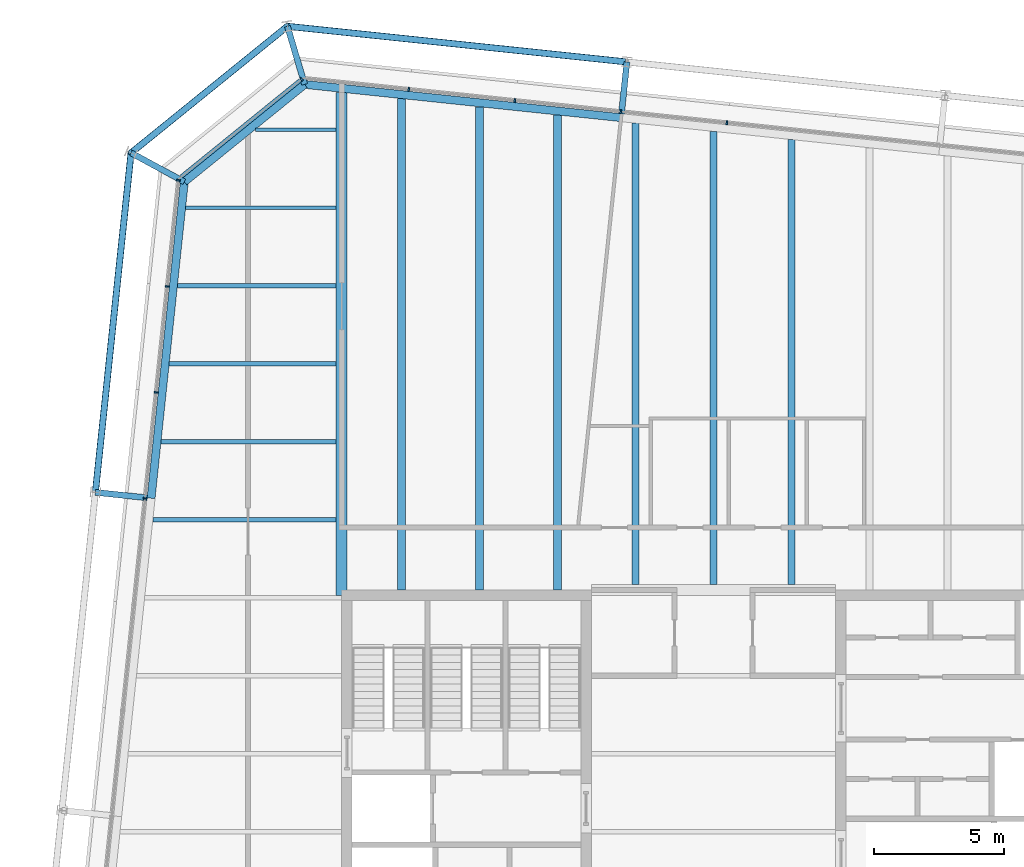
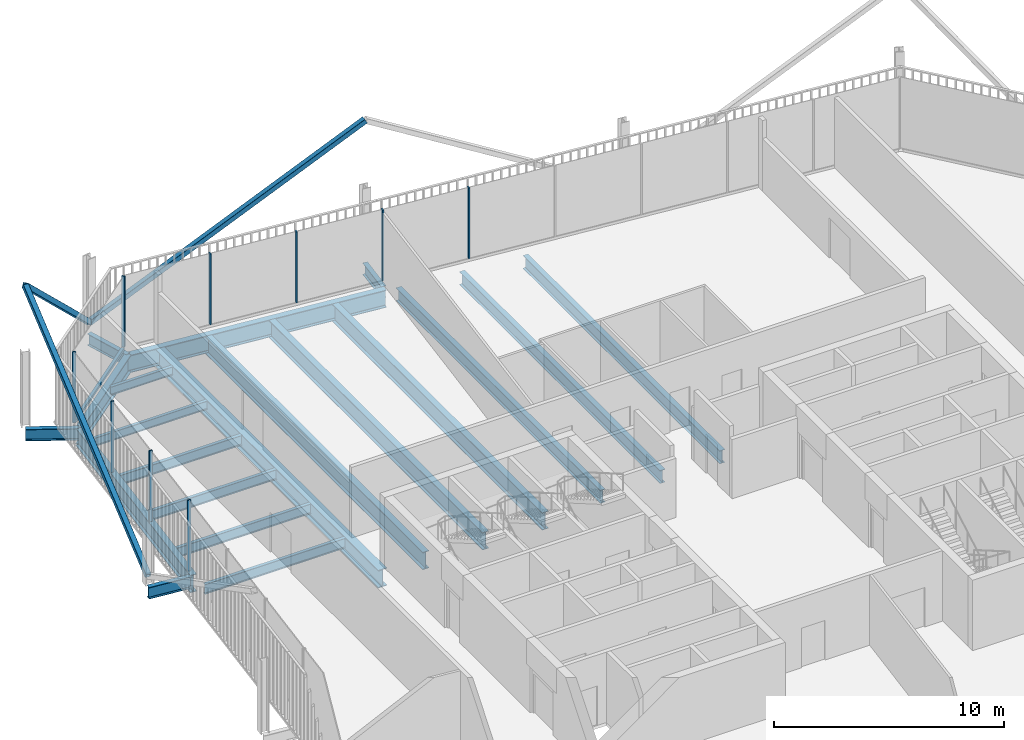
# One storey, part 12 of 21: 20 beams, 13 members, 3 elements without a shape of their own.
"""IFC4 building model written with IfcOpenShell, lengths in metres."""

from ifc_helpers import new_model, si_unit, direction, frame, origin, origin_2d, place, context, subcontext, project, spatial, rectangle, hollow_rectangle, i_section, extrude, material, layer, layer_set, material_profile, profile_set, type_object, element, aggregate, save


model = new_model("IFC4")

# Units and contexts
model_context = context("Model", 3, precision=1e-05, world=origin(), true_north=direction((0.0, 1.0)))
body_context = subcontext(model_context, "Body", "Model", "MODEL_VIEW")
ifc_project = project(units=[si_unit("LENGTHUNIT", "METRE"), si_unit("AREAUNIT", "SQUARE_METRE"), si_unit("VOLUMEUNIT", "CUBIC_METRE"), si_unit("PLANEANGLEUNIT", "RADIAN"), si_unit("MASSUNIT", "GRAM", prefix="KILO")], contexts=[model_context])

# Site, building, storey
site_placement = place(None, origin())
site = spatial("IfcSite", under=ifc_project, at=site_placement, CompositionType="ELEMENT")
building_placement = place(site_placement, origin())
building = spatial("IfcBuilding", under=site, at=building_placement, Name="Millrace Tower", CompositionType="ELEMENT")
storey_placement = place(building_placement, frame((0.0, 0.0, 326.5)))
storey = spatial("IfcBuildingStorey", under=building, at=storey_placement, Name="L75", CompositionType="ELEMENT", Elevation=326.5)

# Curtain wall, members
ifc_material_1 = material(Name="Aluminium and glass", Category="aluminium")
ifc_layer = layer(ifc_material_1, 0.14990234375)
ifc_layer_set = layer_set([ifc_layer], Name="Aluminium and glass")
curtain_wall_type = type_object("IfcCurtainWallType", Name="CW-1 office vision curtain wall", PredefinedType="NOTDEFINED", material=ifc_layer_set)
placement = place(storey_placement, origin())
curtain_wall_1 = element("IfcCurtainWall", 1, at=placement, inside=storey, type_object=curtain_wall_type, Name="Curtain wall E-F06 L75", PredefinedType="NOTDEFINED")
ifc_material_2 = material(Name="Aluminium", Category="aluminium")
ifc_material_profile_1 = material_profile(ifc_material_2, rectangle(XDim=0.06494140625, YDim=0.14990234375, at=origin_2d()))
ifc_profile_set_1 = profile_set([ifc_material_profile_1], Name="Aluminium")
member_type_1 = type_object("IfcMemberType", Name="CW-1 office vision curtain wall mullion", PredefinedType="MULLION", material=ifc_profile_set_1)
member_1_placement = place(storey_placement, frame((0.514892578125, 27.267578125, 0.139892578125), z_axis=(0.0, 0.0, 1.0), x_axis=(-0.994521896217, 0.104528455196, 0.0)))
member_1 = element("IfcMember", 2, at=member_1_placement, type_object=member_type_1, Name="CW1 mullion E-F06.6", PredefinedType="MULLION", context=body_context, shape_type="SweptSolid", body=[
    extrude(rectangle(XDim=0.06494140625, YDim=0.14990234375, at=origin_2d()), origin(), (0.0, 0.0, 1.0), 3.760009765625),
])
member_2_placement = place(storey_placement, frame((-3.562744140625, 27.6962890625, 0.139892578125), z_axis=(0.0, 0.0, 1.0), x_axis=(-0.994521896217, 0.104528455196, 0.0)))
member_2 = element("IfcMember", 3, at=member_2_placement, type_object=member_type_1, Name="CW1 mullion E-F06.7", PredefinedType="MULLION", context=body_context, shape_type="SweptSolid", body=[
    extrude(rectangle(XDim=0.06494140625, YDim=0.14990234375, at=origin_2d()), origin(), (0.0, 0.0, 1.0), 3.760009765625),
])
member_3_placement = place(storey_placement, frame((-7.640380859375, 28.124755859375, 0.139892578125), z_axis=(0.0, 0.0, 1.0), x_axis=(-0.994521896217, 0.104528455196, 0.0)))
member_3 = element("IfcMember", 4, at=member_3_placement, type_object=member_type_1, Name="CW1 mullion E-F06.8", PredefinedType="MULLION", context=body_context, shape_type="SweptSolid", body=[
    extrude(rectangle(XDim=0.06494140625, YDim=0.14990234375, at=origin_2d()), origin(), (0.0, 0.0, 1.0), 3.760009765625),
])
member_4_placement = place(storey_placement, frame((-11.7177734375, 28.55322265625, 0.139892578125), z_axis=(0.0, 0.0, 1.0), x_axis=(-0.994521896217, 0.104528455196, 0.0)))
member_4 = element("IfcMember", 5, at=member_4_placement, type_object=member_type_1, Name="CW1 mullion E-F06.9", PredefinedType="MULLION", context=body_context, shape_type="SweptSolid", body=[
    extrude(rectangle(XDim=0.06494140625, YDim=0.14990234375, at=origin_2d()), origin(), (0.0, 0.0, 1.0), 3.760009765625),
])
aggregate(curtain_wall_1, [member_1, member_2, member_3, member_4])

# Curtain wall, member
curtain_wall_2 = element("IfcCurtainWall", 6, at=placement, inside=storey, type_object=curtain_wall_type, Name="Curtain wall E-F07 L75", PredefinedType="NOTDEFINED")
member_5_placement = place(storey_placement, frame((-15.84326171875, 28.941650390625, 0.139892578125), z_axis=(0.0, 0.0, 1.0), x_axis=(-0.777146052237, -0.629320278945, 0.0)))
member_5 = element("IfcMember", 7, at=member_5_placement, type_object=member_type_1, Name="CW1 mullion E-F07.1", PredefinedType="MULLION", context=body_context, shape_type="SweptSolid", body=[
    extrude(rectangle(XDim=0.06494140625, YDim=0.14990234375, at=origin_2d()), origin(), (0.0, 0.0, 1.0), 3.760009765625),
])

# Curtain wall, members
curtain_wall_3 = element("IfcCurtainWall", 8, at=placement, inside=storey, type_object=curtain_wall_type, Name="Curtain wall E-F08 L75", PredefinedType="NOTDEFINED")
member_6_placement = place(storey_placement, frame((-20.57470703125, 25.052490234375, 0.139892578125), z_axis=(0.0, 0.0, 1.0), x_axis=(-0.104528455196, -0.994521896217, 0.0)))
member_6 = element("IfcMember", 9, at=member_6_placement, type_object=member_type_1, Name="CW1 mullion E-F08.1", PredefinedType="MULLION", context=body_context, shape_type="SweptSolid", body=[
    extrude(rectangle(XDim=0.06494140625, YDim=0.14990234375, at=origin_2d()), origin(), (0.0, 0.0, 1.0), 3.760009765625),
])
member_7_placement = place(storey_placement, frame((-21.00341796875, 20.974853515625, 0.139892578125), z_axis=(0.0, 0.0, 1.0), x_axis=(-0.104528455196, -0.994521896217, 0.0)))
member_7 = element("IfcMember", 10, at=member_7_placement, type_object=member_type_1, Name="CW1 mullion E-F08.2", PredefinedType="MULLION", context=body_context, shape_type="SweptSolid", body=[
    extrude(rectangle(XDim=0.06494140625, YDim=0.14990234375, at=origin_2d()), origin(), (0.0, 0.0, 1.0), 3.760009765625),
])
member_8_placement = place(storey_placement, frame((-21.431884765625, 16.8974609375, 0.139892578125), z_axis=(0.0, 0.0, 1.0), x_axis=(-0.104528455196, -0.994521896217, 0.0)))
member_8 = element("IfcMember", 11, at=member_8_placement, type_object=member_type_1, Name="CW1 mullion E-F08.3", PredefinedType="MULLION", context=body_context, shape_type="SweptSolid", body=[
    extrude(rectangle(XDim=0.06494140625, YDim=0.14990234375, at=origin_2d()), origin(), (0.0, 0.0, 1.0), 3.760009765625),
])
member_9_placement = place(storey_placement, frame((-21.860595703125, 12.81982421875, 0.139892578125), z_axis=(0.0, 0.0, 1.0), x_axis=(-0.104528455196, -0.994521896217, 0.0)))
member_9 = element("IfcMember", 12, at=member_9_placement, type_object=member_type_1, Name="CW1 mullion E-F08.4", PredefinedType="MULLION", context=body_context, shape_type="SweptSolid", body=[
    extrude(rectangle(XDim=0.06494140625, YDim=0.14990234375, at=origin_2d()), origin(), (0.0, 0.0, 1.0), 3.760009765625),
])
aggregate(curtain_wall_3, [member_6, member_7, member_8, member_9])

# Member
ifc_material_3 = material(Name="Aluminium", Category="aluminium")
ifc_material_profile_2 = material_profile(ifc_material_3, rectangle(XDim=0.14990234375, YDim=0.139892578125, at=origin_2d()))
ifc_profile_set_2 = profile_set([ifc_material_profile_2], Name="Aluminium")
member_type_2 = type_object("IfcMemberType", Name="CW-1 office vision curtain wall transom", PredefinedType="USERDEFINED", material=ifc_profile_set_2)
member_10_placement = place(storey_placement, frame((-15.895751953125, 28.899169921875, 0.070068359375), z_axis=(-0.777165591695, -0.629296148951, 0.0), x_axis=(0.629296148951, -0.777165591695, 0.0)))
member_10 = element("IfcMember", 13, at=member_10_placement, type_object=member_type_2, Name="CW1 transom E-F07.1", ObjectType="TRANSOM", PredefinedType="USERDEFINED", context=body_context, shape_type="SweptSolid", body=[
    extrude(rectangle(XDim=0.14990234375, YDim=0.139892578125, at=origin_2d()), origin(), (0.0, 0.0, 1.0), 5.881103515625),
])

aggregate(curtain_wall_2, [member_5, member_10])

# Members
ifc_material_4 = material(Name="Steel ASTM A500 Grade C", Category="steel")
ifc_material_profile_3 = material_profile(ifc_material_4, hollow_rectangle(XDim=0.25390625, YDim=0.25390625, WallThickness=0.009521484375, InnerFilletRadius=0.004638671875, OuterFilletRadius=0.014404296875, at=origin_2d()))
ifc_profile_set_3 = profile_set([ifc_material_profile_3], Name="Steel ASTM A500 Grade C")
member_type_3 = type_object("IfcMemberType", Name="Exoskeleton brace HSS10x10x3/8", PredefinedType="BRACE", material=ifc_profile_set_3)
member_11_placement = place(storey_placement, frame((-16.3857421875, 30.9794921875, 0.39990234375), z_axis=(0.877568210125, -0.092238278747, 0.470495628578), x_axis=(0.104530865473, 0.994521642883, 0.0)))
element("IfcMember", 14, at=member_11_placement, inside=storey, type_object=member_type_3, Name="BRC-E-L75-12", PredefinedType="BRACE", context=body_context, shape_type="SweptSolid", body=[
    extrude(hollow_rectangle(XDim=0.25390625, YDim=0.25390625, WallThickness=0.009521484375, InnerFilletRadius=0.004638671875, OuterFilletRadius=0.014404296875, at=origin_2d()), origin(), (0.0, 0.0, 1.0), 14.8779296875),
])
member_12_placement = place(storey_placement, frame((-16.3857421875, 30.9794921875, 0.39990234375), z_axis=(-0.57631352586, -0.466694392708, 0.670864415308), x_axis=(0.62932438279, -0.777142728993, 0.0)))
element("IfcMember", 15, at=member_12_placement, inside=storey, type_object=member_type_3, Name="BRC-E-L75-13", PredefinedType="BRACE", context=body_context, shape_type="SweptSolid", body=[
    extrude(hollow_rectangle(XDim=0.25390625, YDim=0.25390625, WallThickness=0.009521484375, InnerFilletRadius=0.004638671875, OuterFilletRadius=0.014404296875, at=origin_2d()), origin(), (0.0, 0.0, 1.0), 10.434326171875),
])
member_13_placement = place(storey_placement, frame((-23.771484375, 13.053466796875, 0.39990234375), z_axis=(0.092238278747, 0.877568210125, 0.470495628578), x_axis=(-0.994521642883, 0.104530865473, 0.0)))
element("IfcMember", 16, at=member_13_placement, inside=storey, type_object=member_type_3, Name="BRC-E-L75-14", PredefinedType="BRACE", context=body_context, shape_type="SweptSolid", body=[
    extrude(hollow_rectangle(XDim=0.25390625, YDim=0.25390625, WallThickness=0.009521484375, InnerFilletRadius=0.004638671875, OuterFilletRadius=0.014404296875, at=origin_2d()), origin(), (0.0, 0.0, 1.0), 14.8779296875),
])

# Beams
ifc_material_5 = material(Name="Steel ASTM A992 Grade 50", Category="steel")
ifc_material_profile_4 = material_profile(ifc_material_5, i_section(OverallWidth=0.15234375, OverallDepth=0.449462890625, WebThickness=0.007568359375, FlangeThickness=0.0107421875, FilletRadius=0.01025390625, at=origin_2d()))
ifc_profile_set_4 = profile_set([ifc_material_profile_4], Name="Steel ASTM A992 Grade 50")
beam_type_1 = type_object("IfcBeamType", Name="Floor beam W18x35", PredefinedType="JOIST", material=ifc_profile_set_4)
beam_1_placement = place(storey_placement, frame((-20.301025390625, 24.0, -0.384765625), z_axis=(1.0, 0.0, 0.0), x_axis=(0.0, 1.0, 0.0)))
element("IfcBeam", 17, at=beam_1_placement, inside=storey, type_object=beam_type_1, Name="BM-E-L75-S1-S033", PredefinedType="JOIST", context=body_context, shape_type="SweptSolid", body=[
    extrude(i_section(OverallWidth=0.15234375, OverallDepth=0.449462890625, WebThickness=0.007568359375, FlangeThickness=0.0107421875, FilletRadius=0.01025390625, at=origin_2d()), origin(), (0.0, 0.0, 1.0), 5.79150390625),
])
beam_2_placement = place(storey_placement, frame((-17.609619140625, 27.0, -0.384765625), z_axis=(1.0, 0.0, 0.0), x_axis=(0.0, 1.0, 0.0)))
element("IfcBeam", 18, at=beam_2_placement, inside=storey, type_object=beam_type_1, Name="BM-E-L75-S1-S035", PredefinedType="JOIST", context=body_context, shape_type="SweptSolid", body=[
    extrude(i_section(OverallWidth=0.15234375, OverallDepth=0.449462890625, WebThickness=0.007568359375, FlangeThickness=0.0107421875, FilletRadius=0.01025390625, at=origin_2d()), origin(), (0.0, 0.0, 1.0), 3.10009765625),
])
ifc_material_6 = material(Name="Steel ASTM A992 Grade 50", Category="steel")
ifc_material_profile_5 = material_profile(ifc_material_6, i_section(OverallWidth=0.1650390625, OverallDepth=0.52587890625, WebThickness=0.0087890625, FlangeThickness=0.011474609375, FilletRadius=0.0126953125, at=origin_2d()))
ifc_profile_set_5 = profile_set([ifc_material_profile_5], Name="Steel ASTM A992 Grade 50")
beam_type_2 = type_object("IfcBeamType", Name="Floor beam W21x44", PredefinedType="JOIST", material=ifc_profile_set_5)
beam_3_placement = place(storey_placement, frame((-21.562255859375, 12.0, -0.4228515625), z_axis=(1.0, 0.0, 0.0), x_axis=(0.0, 1.0, 0.0)))
element("IfcBeam", 19, at=beam_3_placement, inside=storey, type_object=beam_type_2, Name="BM-E-L75-S1-S025", PredefinedType="JOIST", context=body_context, shape_type="SweptSolid", body=[
    extrude(i_section(OverallWidth=0.1650390625, OverallDepth=0.52587890625, WebThickness=0.0087890625, FlangeThickness=0.011474609375, FilletRadius=0.0126953125, at=origin_2d()), origin(), (0.0, 0.0, 1.0), 7.052734375),
])
beam_4_placement = place(storey_placement, frame((-21.246826171875, 15.0, -0.4228515625), z_axis=(1.0, 0.0, 0.0), x_axis=(0.0, 1.0, 0.0)))
element("IfcBeam", 20, at=beam_4_placement, inside=storey, type_object=beam_type_2, Name="BM-E-L75-S1-S027", PredefinedType="JOIST", context=body_context, shape_type="SweptSolid", body=[
    extrude(i_section(OverallWidth=0.1650390625, OverallDepth=0.52587890625, WebThickness=0.0087890625, FlangeThickness=0.011474609375, FilletRadius=0.0126953125, at=origin_2d()), origin(), (0.0, 0.0, 1.0), 6.7373046875),
])
beam_5_placement = place(storey_placement, frame((-20.931640625, 18.0, -0.4228515625), z_axis=(1.0, 0.0, 0.0), x_axis=(0.0, 1.0, 0.0)))
element("IfcBeam", 21, at=beam_5_placement, inside=storey, type_object=beam_type_2, Name="BM-E-L75-S1-S029", PredefinedType="JOIST", context=body_context, shape_type="SweptSolid", body=[
    extrude(i_section(OverallWidth=0.1650390625, OverallDepth=0.52587890625, WebThickness=0.0087890625, FlangeThickness=0.011474609375, FilletRadius=0.0126953125, at=origin_2d()), origin(), (0.0, 0.0, 1.0), 6.422119140625),
])
beam_6_placement = place(storey_placement, frame((-20.6162109375, 21.0, -0.4228515625), z_axis=(1.0, 0.0, 0.0), x_axis=(0.0, 1.0, 0.0)))
element("IfcBeam", 22, at=beam_6_placement, inside=storey, type_object=beam_type_2, Name="BM-E-L75-S1-S031", PredefinedType="JOIST", context=body_context, shape_type="SweptSolid", body=[
    extrude(i_section(OverallWidth=0.1650390625, OverallDepth=0.52587890625, WebThickness=0.0087890625, FlangeThickness=0.011474609375, FilletRadius=0.0126953125, at=origin_2d()), origin(), (0.0, 0.0, 1.0), 6.106689453125),
])
ifc_material_7 = material(Name="Steel ASTM A992 Grade 50", Category="steel")
ifc_material_profile_6 = material_profile(ifc_material_7, i_section(OverallWidth=0.256591796875, OverallDepth=0.693359375, WebThickness=0.014404296875, FlangeThickness=0.023681640625, FilletRadius=0.01513671875, at=origin_2d()))
ifc_profile_set_6 = profile_set([ifc_material_profile_6], Name="Steel ASTM A992 Grade 50")
beam_type_3 = type_object("IfcBeamType", Name="Floor beam W27x114", PredefinedType="JOIST", material=ifc_profile_set_6)
beam_7_placement = place(storey_placement, frame((-3.0, 9.509521484375, -0.506591796875), z_axis=(0.0, 1.0, 0.0), x_axis=(-1.0, 0.0, 0.0)))
element("IfcBeam", 23, at=beam_7_placement, inside=storey, type_object=beam_type_3, Name="BM-E-L75-S1-S042", PredefinedType="JOIST", context=body_context, shape_type="SweptSolid", body=[
    extrude(i_section(OverallWidth=0.256591796875, OverallDepth=0.693359375, WebThickness=0.014404296875, FlangeThickness=0.023681640625, FilletRadius=0.01513671875, at=origin_2d()), origin(), (0.0, 0.0, 1.0), 17.7431640625),
])
beam_8_placement = place(storey_placement, frame((0.0, 9.509521484375, -0.506591796875), z_axis=(0.0, 1.0, 0.0), x_axis=(-1.0, 0.0, 0.0)))
element("IfcBeam", 24, at=beam_8_placement, inside=storey, type_object=beam_type_3, Name="BM-E-L75-S1-S044", PredefinedType="JOIST", context=body_context, shape_type="SweptSolid", body=[
    extrude(i_section(OverallWidth=0.256591796875, OverallDepth=0.693359375, WebThickness=0.014404296875, FlangeThickness=0.023681640625, FilletRadius=0.01513671875, at=origin_2d()), origin(), (0.0, 0.0, 1.0), 17.427734375),
])
beam_9_placement = place(storey_placement, frame((3.0, 9.509521484375, -0.506591796875), z_axis=(0.0, 1.0, 0.0), x_axis=(-1.0, 0.0, 0.0)))
element("IfcBeam", 25, at=beam_9_placement, inside=storey, type_object=beam_type_3, Name="BM-E-L75-S1-S046", PredefinedType="JOIST", context=body_context, shape_type="SweptSolid", body=[
    extrude(i_section(OverallWidth=0.256591796875, OverallDepth=0.693359375, WebThickness=0.014404296875, FlangeThickness=0.023681640625, FilletRadius=0.01513671875, at=origin_2d()), origin(), (0.0, 0.0, 1.0), 17.112548828125),
])
ifc_material_8 = material(Name="Steel ASTM A992 Grade 50", Category="steel")
ifc_material_profile_7 = material_profile(ifc_material_8, i_section(OverallWidth=0.307373046875, OverallDepth=0.927001953125, WebThickness=0.01953125, FlangeThickness=0.031982421875, FilletRadius=0.01904296875, at=origin_2d()))
ifc_profile_set_7 = profile_set([ifc_material_profile_7], Name="Steel ASTM A992 Grade 50")
beam_type_4 = type_object("IfcBeamType", Name="Floor beam W36x194", PredefinedType="JOIST", material=ifc_profile_set_7)
beam_10_placement = place(storey_placement, frame((-12.0, 9.300048828125, -0.62353515625), z_axis=(0.0, 1.0, 0.0), x_axis=(-1.0, 0.0, 0.0)))
element("IfcBeam", 26, at=beam_10_placement, inside=storey, type_object=beam_type_4, Name="BM-E-L75-S1-S036", PredefinedType="JOIST", context=body_context, shape_type="SweptSolid", body=[
    extrude(i_section(OverallWidth=0.307373046875, OverallDepth=0.927001953125, WebThickness=0.01953125, FlangeThickness=0.031982421875, FilletRadius=0.01904296875, at=origin_2d()), origin(), (0.0, 0.0, 1.0), 18.8984375),
])
beam_11_placement = place(storey_placement, frame((-9.0, 9.300048828125, -0.62353515625), z_axis=(0.0, 1.0, 0.0), x_axis=(-1.0, 0.0, 0.0)))
element("IfcBeam", 27, at=beam_11_placement, inside=storey, type_object=beam_type_4, Name="BM-E-L75-S1-S038", PredefinedType="JOIST", context=body_context, shape_type="SweptSolid", body=[
    extrude(i_section(OverallWidth=0.307373046875, OverallDepth=0.927001953125, WebThickness=0.01953125, FlangeThickness=0.031982421875, FilletRadius=0.01904296875, at=origin_2d()), origin(), (0.0, 0.0, 1.0), 18.583251953125),
])
beam_12_placement = place(storey_placement, frame((-6.0, 9.300048828125, -0.62353515625), z_axis=(0.0, 1.0, 0.0), x_axis=(-1.0, 0.0, 0.0)))
element("IfcBeam", 28, at=beam_12_placement, inside=storey, type_object=beam_type_4, Name="BM-E-L75-S1-S040", PredefinedType="JOIST", context=body_context, shape_type="SweptSolid", body=[
    extrude(i_section(OverallWidth=0.307373046875, OverallDepth=0.927001953125, WebThickness=0.01953125, FlangeThickness=0.031982421875, FilletRadius=0.01904296875, at=origin_2d()), origin(), (0.0, 0.0, 1.0), 18.267822265625),
])
ifc_material_9 = material(Name="Steel ASTM A992 Grade 50", Category="steel")
ifc_material_profile_8 = material_profile(ifc_material_9, i_section(OverallWidth=0.424072265625, OverallDepth=0.947509765625, WebThickness=0.02392578125, FlangeThickness=0.042724609375, FilletRadius=0.024169921875, at=origin_2d()))
ifc_profile_set_8 = profile_set([ifc_material_profile_8], Name="Steel ASTM A992 Grade 50")
beam_type_5 = type_object("IfcBeamType", Name="Girder medium span W36x302", PredefinedType="BEAM", material=ifc_profile_set_8)
beam_13_placement = place(storey_placement, frame((-14.300048828125, 9.083984375, -0.6337890625), z_axis=(0.0, 1.0, 0.0), x_axis=(-1.0, 0.0, 0.0)))
element("IfcBeam", 29, at=beam_13_placement, inside=storey, type_object=beam_type_5, Name="BM-E-L75-S1-G054", PredefinedType="BEAM", context=body_context, shape_type="SweptSolid", body=[
    extrude(i_section(OverallWidth=0.424072265625, OverallDepth=0.947509765625, WebThickness=0.02392578125, FlangeThickness=0.042724609375, FilletRadius=0.024169921875, at=origin_2d()), origin(), (0.0, 0.0, 1.0), 19.356201171875),
])
ifc_material_10 = material(Name="Steel ASTM A992 Grade 50", Category="steel")
ifc_material_profile_9 = material_profile(ifc_material_10, i_section(OverallWidth=0.23046875, OverallDepth=0.6171875, WebThickness=0.01318359375, FlangeThickness=0.022216796875, FilletRadius=0.012939453125, at=origin_2d()))
ifc_profile_set_9 = profile_set([ifc_material_profile_9], Name="Steel ASTM A992 Grade 50")
beam_type_6 = type_object("IfcBeamType", Name="Link beam W24x94", PredefinedType="BEAM", material=ifc_profile_set_9)
beam_14_placement = place(storey_placement, frame((-21.782470703125, 12.84423828125, -0.468505859375), z_axis=(-0.994512808172, 0.104614886044, 0.0), x_axis=(-0.104614886044, -0.994512808172, 0.0)))
element("IfcBeam", 30, at=beam_14_placement, inside=storey, type_object=beam_type_6, Name="LNK-E-L75-S1-03", PredefinedType="BEAM", context=body_context, shape_type="SweptSolid", body=[
    extrude(i_section(OverallWidth=0.23046875, OverallDepth=0.6171875, WebThickness=0.01318359375, FlangeThickness=0.022216796875, FilletRadius=0.012939453125, at=origin_2d()), origin(), (0.0, 0.0, 1.0), 2.0),
])
for number, where, z_axis, x_axis, name in (
    (31, (-20.3505859375, 24.99755859375, -0.468505859375), (-0.87881453358, 0.477163510307, 0.0), (-0.477163510307, -0.87881453358, 0.0), "LNK-E-L75-S1-04"),
    (32, (-15.7236328125, 28.744384765625, -0.468505859375), (-0.284031275065, 0.958815015936, 0.0), (-0.958815015936, -0.284031275065, 0.0), "LNK-E-L75-S1-05"),
):
    element("IfcBeam", number, at=place(storey_placement, frame(where, z_axis=z_axis, x_axis=x_axis)), inside=storey, type_object=beam_type_6, Name=name, PredefinedType="BEAM", context=body_context, shape_type="SweptSolid", body=[
        extrude(i_section(OverallWidth=0.23046875, OverallDepth=0.6171875, WebThickness=0.01318359375, FlangeThickness=0.022216796875, FilletRadius=0.012939453125, at=origin_2d()), origin(), (0.0, 0.0, 1.0), 2.3310546875),
    ])
beam_15_placement = place(storey_placement, frame((-3.538330078125, 27.6181640625, -0.468505859375), z_axis=(0.104494148666, 0.99452550138, 0.0), x_axis=(-0.99452550138, 0.104494148666, 0.0)))
element("IfcBeam", 33, at=beam_15_placement, inside=storey, type_object=beam_type_6, Name="LNK-E-L75-S1-06", PredefinedType="BEAM", context=body_context, shape_type="SweptSolid", body=[
    extrude(i_section(OverallWidth=0.23046875, OverallDepth=0.6171875, WebThickness=0.01318359375, FlangeThickness=0.022216796875, FilletRadius=0.012939453125, at=origin_2d()), origin(), (0.0, 0.0, 1.0), 2.0),
])
ifc_material_11 = material(Name="Steel ASTM A992 Grade 50", Category="steel")
ifc_material_profile_10 = material_profile(ifc_material_11, i_section(OverallWidth=0.307373046875, OverallDepth=0.927001953125, WebThickness=0.01953125, FlangeThickness=0.031982421875, FilletRadius=0.01904296875, at=origin_2d()))
ifc_profile_set_10 = profile_set([ifc_material_profile_10], Name="Steel ASTM A992 Grade 50")
beam_type_7 = type_object("IfcBeamType", Name="Ring beam medium span W36x194", PredefinedType="SPANDREL", material=ifc_profile_set_10)
for number, where, z_axis, x_axis, name in (
    (34, (-21.629638671875, 12.828369140625, -0.62353515625), (0.104530030035, 0.994521730693, 0.0), (-0.994521730693, 0.104530030035, 0.0), "RNG-E-L75-S1-03"),
    (35, (-15.7236328125, 28.744384765625, -0.62353515625), (0.994521730693, -0.104530030035, 0.0), (0.104530030035, 0.994521730693, 0.0), "RNG-E-L75-S1-05"),
):
    element("IfcBeam", number, at=place(storey_placement, frame(where, z_axis=z_axis, x_axis=x_axis)), inside=storey, type_object=beam_type_7, Name=name, PredefinedType="SPANDREL", context=body_context, shape_type="SweptSolid", body=[
        extrude(i_section(OverallWidth=0.307373046875, OverallDepth=0.927001953125, WebThickness=0.01953125, FlangeThickness=0.031982421875, FilletRadius=0.01904296875, at=origin_2d()), origin(), (0.0, 0.0, 1.0), 12.236328125),
    ])
ifc_material_12 = material(Name="Steel ASTM A992 Grade 50", Category="steel")
ifc_material_profile_11 = material_profile(ifc_material_12, i_section(OverallWidth=0.307373046875, OverallDepth=0.927001953125, WebThickness=0.01953125, FlangeThickness=0.031982421875, FilletRadius=0.01904296875, at=origin_2d()))
ifc_profile_set_11 = profile_set([ifc_material_profile_11], Name="Steel ASTM A992 Grade 50")
beam_type_8 = type_object("IfcBeamType", Name="Ring beam short span W36x194", PredefinedType="SPANDREL", material=ifc_profile_set_11)
beam_16_placement = place(storey_placement, frame((-20.3505859375, 24.99755859375, -0.62353515625), z_axis=(0.777146502883, 0.629319722443, 0.0), x_axis=(-0.629319722443, 0.777146502883, 0.0)))
element("IfcBeam", 36, at=beam_16_placement, inside=storey, type_object=beam_type_8, Name="RNG-E-L75-S1-04", PredefinedType="SPANDREL", context=body_context, shape_type="SweptSolid", body=[
    extrude(i_section(OverallWidth=0.307373046875, OverallDepth=0.927001953125, WebThickness=0.01953125, FlangeThickness=0.031982421875, FilletRadius=0.01904296875, at=origin_2d()), origin(), (0.0, 0.0, 1.0), 5.953857421875),
])

save(model, "model.ifc")
